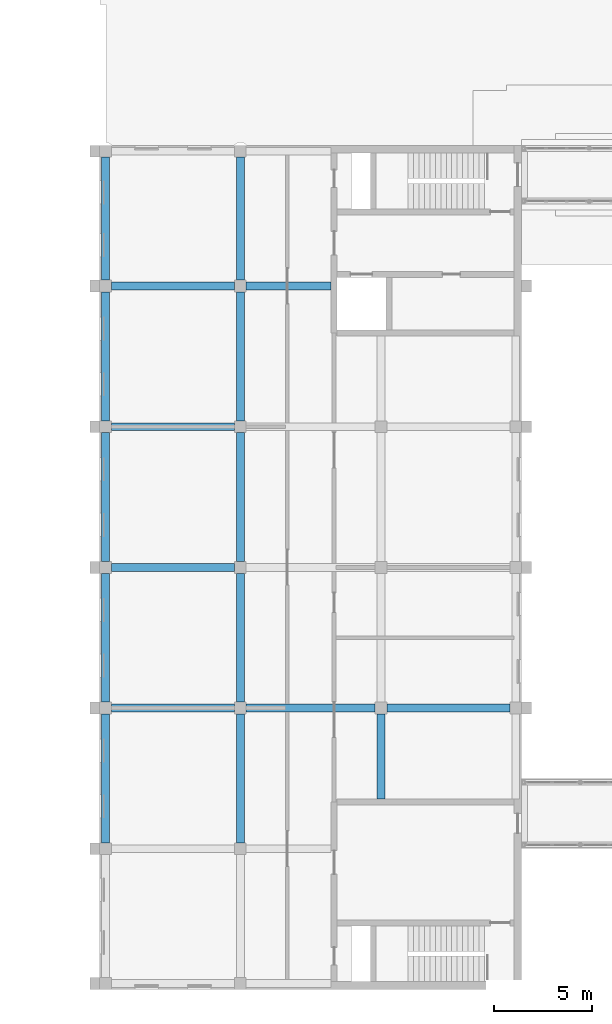
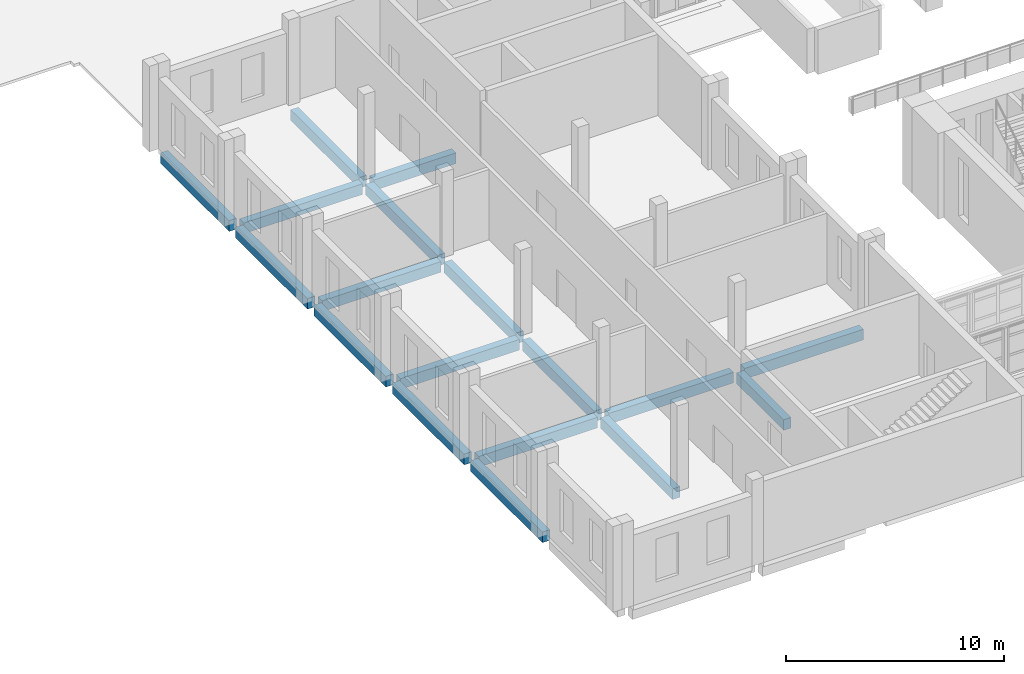
# One storey, part 40 of 131: 18 beams.
"""IFC4 building model written with IfcOpenShell, lengths in metres."""

from ifc_helpers import new_model, si_unit, direction, frame, origin, origin_2d, place, context, subcontext, project, spatial, rectangle, extrude, material, material_profile, profile_set, type_object, element, save


model = new_model("IFC4")

# Units and contexts
model_context = context("Model", 3, precision=1e-05, world=origin(), true_north=direction((0.0, 1.0)))
body_context = subcontext(model_context, "Body", "Model", "MODEL_VIEW")
ifc_project = project(units=[si_unit("LENGTHUNIT", "METRE"), si_unit("AREAUNIT", "SQUARE_METRE"), si_unit("VOLUMEUNIT", "CUBIC_METRE"), si_unit("PLANEANGLEUNIT", "RADIAN"), si_unit("MASSUNIT", "GRAM", prefix="KILO")], contexts=[model_context])

# Site, building, storey
site_placement = place(None, origin())
site = spatial("IfcSite", under=ifc_project, at=site_placement, CompositionType="ELEMENT")
building_placement = place(site_placement, origin())
building = spatial("IfcBuilding", under=site, at=building_placement, Name="Alderwick Market Hall", CompositionType="ELEMENT")
storey_placement = place(building_placement, frame((0.0, 0.0, 4.800048828125)))
storey = spatial("IfcBuildingStorey", under=building, at=storey_placement, Name="L00", CompositionType="ELEMENT", Elevation=4.800048828125)

# Beams
ifc_material = material(Name="Concrete 5000 psi (f'c 35 MPa)", Category="concrete")
ifc_material_profile = material_profile(ifc_material, rectangle(XDim=0.39990234375, YDim=0.60009765625, at=origin_2d()), Name="B RC Beam 400x600")
ifc_profile_set = profile_set([ifc_material_profile], Name="Concrete 5000 psi (f'c 35 MPa)")
beam_type = type_object("IfcBeamType", Name="B RC Beam 400x600", PredefinedType="BEAM", material=ifc_profile_set)
beam_1_placement = place(storey_placement, frame((22.199951171875, 122.39990234375, -0.550048828125), z_axis=(1.0, 0.0, 0.0), x_axis=(0.0, 1.0, 0.0)))
element("IfcBeam", 1, at=beam_1_placement, inside=storey, type_object=beam_type, Name="B.N.beam.L00.u072-0006", PredefinedType="BEAM", context=body_context, shape_type="SweptSolid", body=[
    extrude(rectangle(XDim=0.39990234375, YDim=0.60009765625, at=origin_2d()), origin(), (0.0, 0.0, 1.0), 6.300048828125),
])
beam_2_placement = place(storey_placement, frame((29.10009765625, 122.39990234375, -0.550048828125), z_axis=(1.0, 0.0, 0.0), x_axis=(0.0, 1.0, 0.0)))
element("IfcBeam", 2, at=beam_2_placement, inside=storey, type_object=beam_type, Name="B.N.beam.L00.u072-0075", PredefinedType="BEAM", context=body_context, shape_type="SweptSolid", body=[
    extrude(rectangle(XDim=0.39990234375, YDim=0.60009765625, at=origin_2d()), origin(), (0.0, 0.0, 1.0), 4.349853515625),
])
for number, where, z_axis, x_axis, name in (
    (3, (22.199951171875, 115.199951171875, -0.550048828125), (1.0, 0.0, 0.0), (0.0, 1.0, 0.0), "B.N.beam.L00.u144-0006"),
    (4, (22.199951171875, 108.0, -0.550048828125), (1.0, 0.0, 0.0), (0.0, 1.0, 0.0), "B.N.beam.L00.u216-0006"),
    (5, (22.199951171875, 100.800048828125, -0.550048828125), (1.0, 0.0, 0.0), (0.0, 1.0, 0.0), "B.N.beam.L00.u288-0006"),
):
    element("IfcBeam", number, at=place(storey_placement, frame(where, z_axis=z_axis, x_axis=x_axis)), inside=storey, type_object=beam_type, Name=name, PredefinedType="BEAM", context=body_context, shape_type="SweptSolid", body=[
        extrude(rectangle(XDim=0.39990234375, YDim=0.60009765625, at=origin_2d()), origin(), (0.0, 0.0, 1.0), 6.300048828125),
    ])
beam_3_placement = place(storey_placement, frame((29.10009765625, 100.800048828125, -0.550048828125), z_axis=(1.0, 0.0, 0.0), x_axis=(0.0, 1.0, 0.0)))
element("IfcBeam", 6, at=beam_3_placement, inside=storey, type_object=beam_type, Name="B.N.beam.L00.u288-0075", PredefinedType="BEAM", context=body_context, shape_type="SweptSolid", body=[
    extrude(rectangle(XDim=0.39990234375, YDim=0.60009765625, at=origin_2d()), origin(), (0.0, 0.0, 1.0), 6.599853515625),
])
for number, where, z_axis, x_axis, name in (
    (7, (36.300048828125, 100.800048828125, -0.550048828125), (1.0, 0.0, 0.0), (0.0, 1.0, 0.0), "B.N.beam.L00.u288-0147"),
    (8, (21.89990234375, 129.0, -0.550048828125), (0.0, -1.0, 0.0), (1.0, 0.0, 0.0), "B.N.beam.L00.w003-0006"),
):
    element("IfcBeam", number, at=place(storey_placement, frame(where, z_axis=z_axis, x_axis=x_axis)), inside=storey, type_object=beam_type, Name=name, PredefinedType="BEAM", context=body_context, shape_type="SweptSolid", body=[
        extrude(rectangle(XDim=0.39990234375, YDim=0.60009765625, at=origin_2d()), origin(), (0.0, 0.0, 1.0), 6.300048828125),
    ])
beam_4_placement = place(storey_placement, frame((21.89990234375, 122.10009765625, -0.550048828125), z_axis=(0.0, -1.0, 0.0), x_axis=(1.0, 0.0, 0.0)))
element("IfcBeam", 9, at=beam_4_placement, inside=storey, type_object=beam_type, Name="B.N.beam.L00.w003-0075", PredefinedType="BEAM", context=body_context, shape_type="SweptSolid", body=[
    extrude(rectangle(XDim=0.39990234375, YDim=0.60009765625, at=origin_2d()), origin(), (0.0, 0.0, 1.0), 6.60009765625),
])
for number, where, z_axis, x_axis, name in (
    (10, (21.89990234375, 114.89990234375, -0.550048828125), (0.0, -1.0, 0.0), (1.0, 0.0, 0.0), "B.N.beam.L00.w003-0147"),
    (11, (21.89990234375, 107.699951171875, -0.550048828125), (0.0, -1.0, 0.0), (1.0, 0.0, 0.0), "B.N.beam.L00.w003-0219"),
):
    element("IfcBeam", number, at=place(storey_placement, frame(where, z_axis=z_axis, x_axis=x_axis)), inside=storey, type_object=beam_type, Name=name, PredefinedType="BEAM", context=body_context, shape_type="SweptSolid", body=[
        extrude(rectangle(XDim=0.39990234375, YDim=0.60009765625, at=origin_2d()), origin(), (0.0, 0.0, 1.0), 6.599853515625),
    ])
beam_5_placement = place(storey_placement, frame((21.89990234375, 100.5, -0.550048828125), z_axis=(0.0, -1.0, 0.0), x_axis=(1.0, 0.0, 0.0)))
element("IfcBeam", 12, at=beam_5_placement, inside=storey, type_object=beam_type, Name="B.N.beam.L00.w003-0291", PredefinedType="BEAM", context=body_context, shape_type="SweptSolid", body=[
    extrude(rectangle(XDim=0.39990234375, YDim=0.60009765625, at=origin_2d()), origin(), (0.0, 0.0, 1.0), 6.60009765625),
])
beam_6_placement = place(storey_placement, frame((28.800048828125, 129.0, -0.550048828125), z_axis=(0.0, -1.0, 0.0), x_axis=(1.0, 0.0, 0.0)))
element("IfcBeam", 13, at=beam_6_placement, inside=storey, type_object=beam_type, Name="B.N.beam.L00.w072-0006", PredefinedType="BEAM", context=body_context, shape_type="SweptSolid", body=[
    extrude(rectangle(XDim=0.39990234375, YDim=0.60009765625, at=origin_2d()), origin(), (0.0, 0.0, 1.0), 6.300048828125),
])
beam_7_placement = place(storey_placement, frame((28.800048828125, 122.10009765625, -0.550048828125), z_axis=(0.0, -1.0, 0.0), x_axis=(1.0, 0.0, 0.0)))
element("IfcBeam", 14, at=beam_7_placement, inside=storey, type_object=beam_type, Name="B.N.beam.L00.w072-0075", PredefinedType="BEAM", context=body_context, shape_type="SweptSolid", body=[
    extrude(rectangle(XDim=0.39990234375, YDim=0.60009765625, at=origin_2d()), origin(), (0.0, 0.0, 1.0), 6.60009765625),
])
for number, where, z_axis, x_axis, name in (
    (15, (28.800048828125, 114.89990234375, -0.550048828125), (0.0, -1.0, 0.0), (1.0, 0.0, 0.0), "B.N.beam.L00.w072-0147"),
    (16, (28.800048828125, 107.699951171875, -0.550048828125), (0.0, -1.0, 0.0), (1.0, 0.0, 0.0), "B.N.beam.L00.w072-0219"),
):
    element("IfcBeam", number, at=place(storey_placement, frame(where, z_axis=z_axis, x_axis=x_axis)), inside=storey, type_object=beam_type, Name=name, PredefinedType="BEAM", context=body_context, shape_type="SweptSolid", body=[
        extrude(rectangle(XDim=0.39990234375, YDim=0.60009765625, at=origin_2d()), origin(), (0.0, 0.0, 1.0), 6.599853515625),
    ])
beam_8_placement = place(storey_placement, frame((28.800048828125, 100.5, -0.550048828125), z_axis=(0.0, -1.0, 0.0), x_axis=(1.0, 0.0, 0.0)))
element("IfcBeam", 17, at=beam_8_placement, inside=storey, type_object=beam_type, Name="B.N.beam.L00.w072-0291", PredefinedType="BEAM", context=body_context, shape_type="SweptSolid", body=[
    extrude(rectangle(XDim=0.39990234375, YDim=0.60009765625, at=origin_2d()), origin(), (0.0, 0.0, 1.0), 6.60009765625),
])
beam_9_placement = place(storey_placement, frame((36.0, 100.5, -0.550048828125), z_axis=(0.0, -1.0, 0.0), x_axis=(1.0, 0.0, 0.0)))
element("IfcBeam", 18, at=beam_9_placement, inside=storey, type_object=beam_type, Name="B.N.beam.L00.w144-0291", PredefinedType="BEAM", context=body_context, shape_type="SweptSolid", body=[
    extrude(rectangle(XDim=0.39990234375, YDim=0.60009765625, at=origin_2d()), origin(), (0.0, 0.0, 1.0), 4.35009765625),
])

save(model, "model.ifc")
